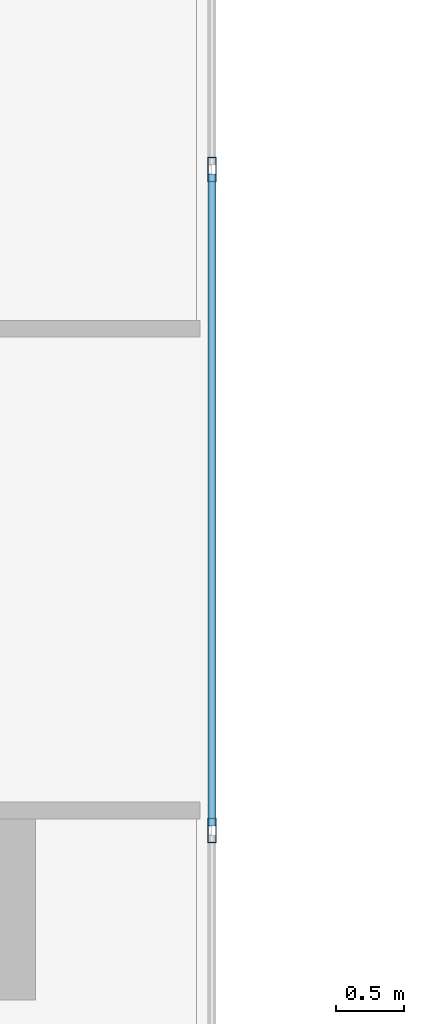
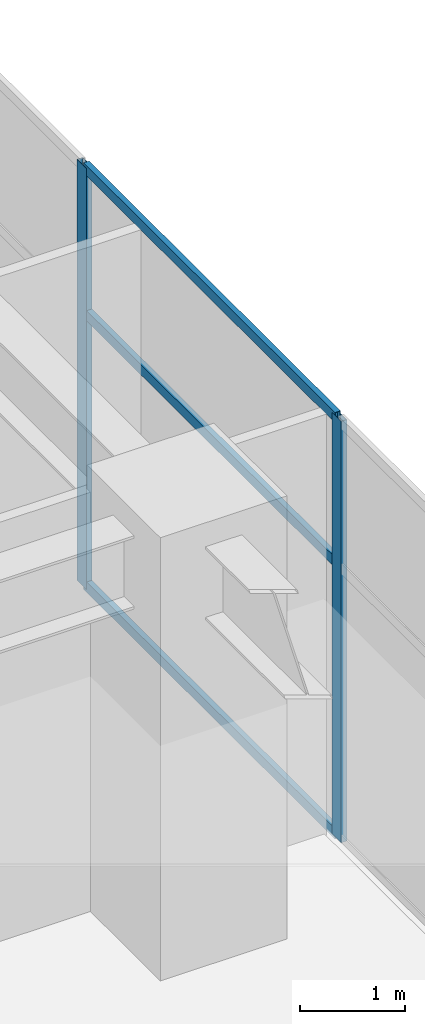
# One storey, part 17 of 29: 5 members, 1 element without a shape of its own.
"""IFC4 building model written with IfcOpenShell, lengths in metres."""

from ifc_helpers import new_model, si_unit, direction, frame, origin, origin_2d, place, context, subcontext, project, spatial, hollow_rectangle, extrude, material, layer, layer_set, material_profile, profile_set, type_object, element, aggregate, save


model = new_model("IFC4")

# Units and contexts
model_context = context("Model", 3, precision=1e-05, world=origin(), true_north=direction((0.0, 1.0)))
body_context = subcontext(model_context, "Body", "Model", "MODEL_VIEW")
ifc_project = project(units=[si_unit("LENGTHUNIT", "METRE"), si_unit("AREAUNIT", "SQUARE_METRE"), si_unit("VOLUMEUNIT", "CUBIC_METRE"), si_unit("PLANEANGLEUNIT", "RADIAN"), si_unit("MASSUNIT", "GRAM", prefix="KILO")], contexts=[model_context])

# Site, building, storey
site_placement = place(None, origin())
site = spatial("IfcSite", under=ifc_project, at=site_placement, CompositionType="ELEMENT")
building_placement = place(site_placement, origin())
building = spatial("IfcBuilding", under=site, at=building_placement, Name="Mawjaban Terraces University", CompositionType="ELEMENT")
storey_placement = place(building_placement, frame((0.0, 0.0, 15.60009765625)))
storey = spatial("IfcBuildingStorey", under=building, at=storey_placement, Name="L03", CompositionType="ELEMENT", Elevation=15.60009765625)

# Curtain wall, members
ifc_material_1 = material(Name="Anodised aluminium 6063-T6 and solar-control low-E glass", Category="aluminium")
ifc_layer = layer(ifc_material_1, 0.175048828125)
ifc_layer_set = layer_set([ifc_layer], Name="Anodised aluminium 6063-T6 and solar-control low-E glass")
curtain_wall_type = type_object("IfcCurtainWallType", Name="CWSystem_02_PodiumLibrary", PredefinedType="NOTDEFINED", material=ifc_layer_set)
curtain_wall_placement = place(storey_placement, origin())
curtain_wall = element("IfcCurtainWall", 1, at=curtain_wall_placement, inside=storey, type_object=curtain_wall_type, Name="L03 Curtain Wall CW-02 Run 6.1", PredefinedType="NOTDEFINED")
ifc_material_2 = material(Name="Anodised aluminium 6063-T6", Category="aluminium")
ifc_material_profile_1 = material_profile(ifc_material_2, hollow_rectangle(XDim=0.06494140625, YDim=0.179931640625, WallThickness=0.00390625, at=origin_2d()), Name="ALU180X65X4")
ifc_profile_set_1 = profile_set([ifc_material_profile_1], Name="Anodised aluminium 6063-T6")
member_type_1 = type_object("IfcMemberType", Name="Mullion_CW-02", PredefinedType="MULLION", material=ifc_profile_set_1)
member_1_placement = place(storey_placement, frame((54.0, 41.75, 0.0), z_axis=(0.0, 0.0, 1.0), x_axis=(-1.0, 0.0, 0.0)))
member_1 = element("IfcMember", 2, at=member_1_placement, type_object=member_type_1, Name="CW-02 mullion 3", PredefinedType="MULLION", context=body_context, shape_type="SweptSolid", body=[
    extrude(hollow_rectangle(XDim=0.06494140625, YDim=0.179931640625, WallThickness=0.00390625, at=origin_2d()), origin(), (0.0, 0.0, 1.0), 4.919921875),
])
member_2_placement = place(storey_placement, frame((54.0, 46.625, 0.0), z_axis=(0.0, 0.0, 1.0), x_axis=(-1.0, 0.0, 0.0)))
member_2 = element("IfcMember", 3, at=member_2_placement, type_object=member_type_1, Name="CW-02 mullion 4", PredefinedType="MULLION", context=body_context, shape_type="SweptSolid", body=[
    extrude(hollow_rectangle(XDim=0.06494140625, YDim=0.179931640625, WallThickness=0.00390625, at=origin_2d()), origin(), (0.0, 0.0, 1.0), 4.919921875),
])
ifc_material_profile_2 = material_profile(ifc_material_2, hollow_rectangle(XDim=0.06005859375, YDim=0.1201171875, WallThickness=0.00341796875, at=origin_2d()), Name="ALU120X60X3.5")
ifc_profile_set_2 = profile_set([ifc_material_profile_2], Name="Anodised aluminium 6063-T6")
member_type_2 = type_object("IfcMemberType", Name="Transom_CW-02", PredefinedType="NOTDEFINED", material=ifc_profile_set_2)
member_3_placement = place(storey_placement, frame((54.0, 41.782470703125, 0.02978515625), z_axis=(0.0, 1.0, 0.0), x_axis=(-1.0, 0.0, 0.0)))
member_3 = element("IfcMember", 4, at=member_3_placement, type_object=member_type_2, Name="CW-02 transom 3.1", ObjectType="TRANSOM", PredefinedType="USERDEFINED", context=body_context, shape_type="SweptSolid", body=[
    extrude(hollow_rectangle(XDim=0.06005859375, YDim=0.1201171875, WallThickness=0.00341796875, at=origin_2d()), origin(), (0.0, 0.0, 1.0), 4.81005859375),
])
member_4_placement = place(storey_placement, frame((54.0, 41.782470703125, 3.197998046875), z_axis=(0.0, 1.0, 0.0), x_axis=(-1.0, 0.0, 0.0)))
member_4 = element("IfcMember", 5, at=member_4_placement, type_object=member_type_2, Name="CW-02 transom 3.2", ObjectType="TRANSOM", PredefinedType="USERDEFINED", context=body_context, shape_type="SweptSolid", body=[
    extrude(hollow_rectangle(XDim=0.06005859375, YDim=0.1201171875, WallThickness=0.00341796875, at=origin_2d()), origin(), (0.0, 0.0, 1.0), 4.81005859375),
])
member_5_placement = place(storey_placement, frame((54.0, 41.782470703125, 4.889892578125), z_axis=(0.0, 1.0, 0.0), x_axis=(-1.0, 0.0, 0.0)))
member_5 = element("IfcMember", 6, at=member_5_placement, type_object=member_type_2, Name="CW-02 transom 3.3", ObjectType="TRANSOM", PredefinedType="USERDEFINED", context=body_context, shape_type="SweptSolid", body=[
    extrude(hollow_rectangle(XDim=0.06005859375, YDim=0.1201171875, WallThickness=0.00341796875, at=origin_2d()), origin(), (0.0, 0.0, 1.0), 4.81005859375),
])
aggregate(curtain_wall, [member_1, member_2, member_3, member_4, member_5])

save(model, "model.ifc")
